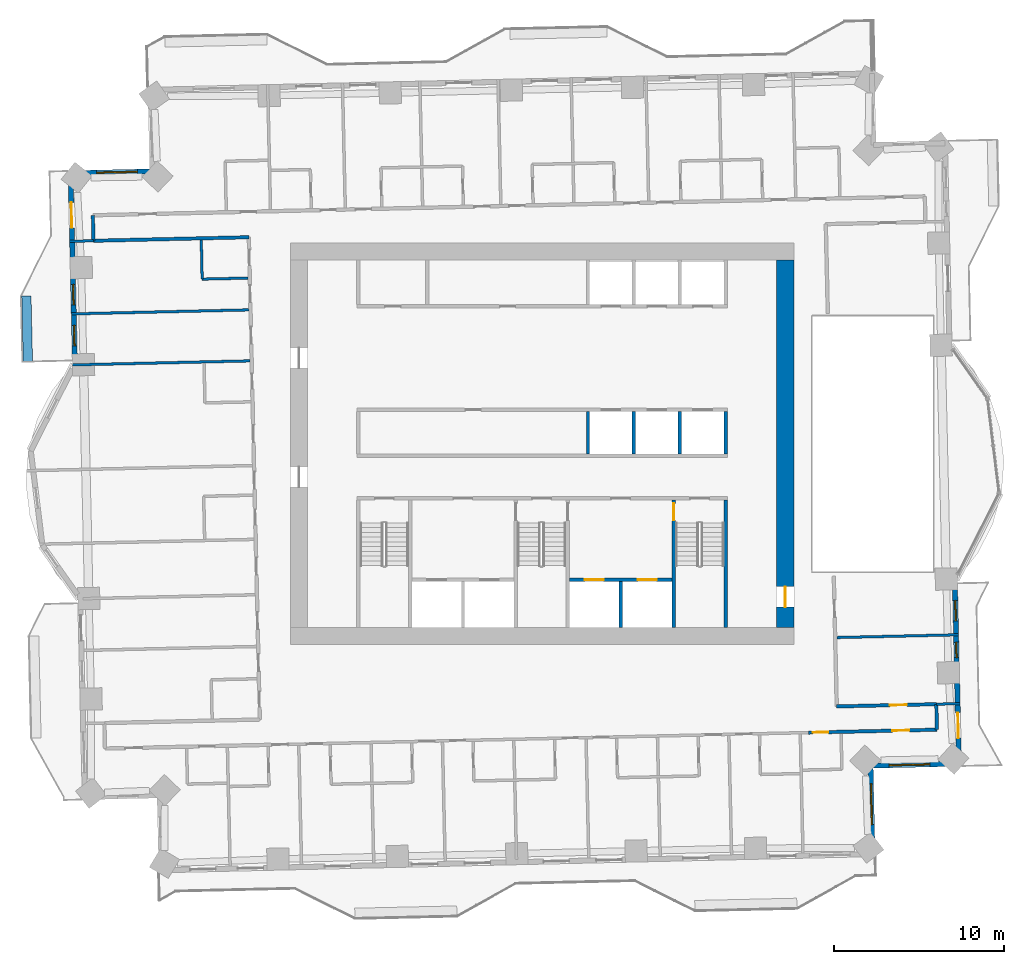
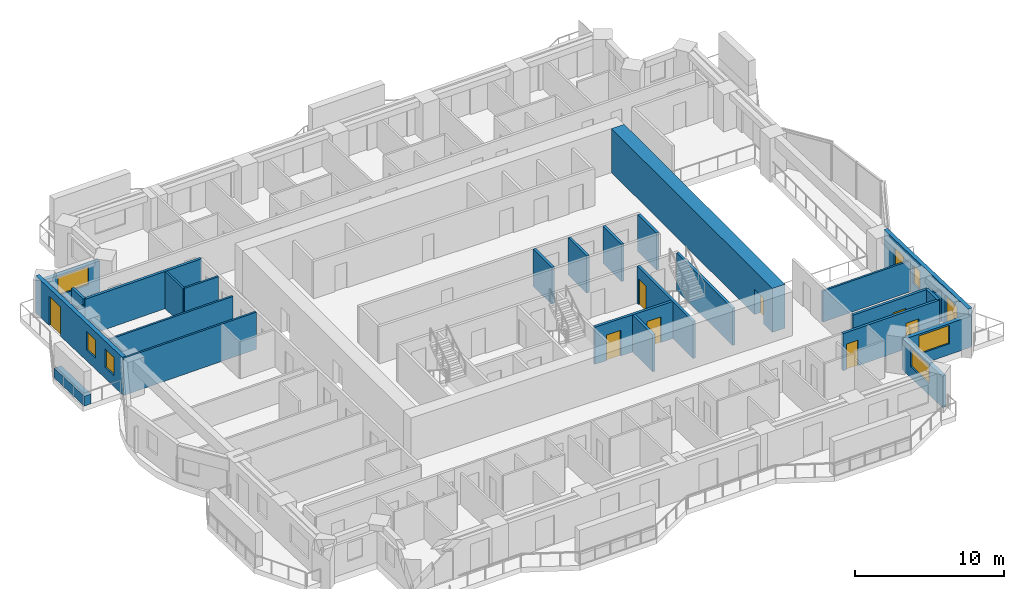
# One storey, part 9 of 16: 27 walls, 9 doors, 7 windows, 16 openings.
"""IFC4 building model written with IfcOpenShell, lengths in metres."""

import ifcopenshell
import ifcopenshell.guid

model = None  # the IFC model being written
_history = None  # IfcOwnerHistory: only IFC2X3 demands one
_inside = {}  # id of a spatial element -> (the spatial element, [elements in it])
_under = {}  # id of a project, library or spatial element -> (it, [spatial elements below it])
_declared = {}  # id of a project -> (the project, [libraries it declares])
_typed = {}  # id of a type object -> (the type object, [elements of that type])
_made_of = {}  # id of a material, layer set ... -> (it, [elements and type objects made of it])


def new_model(schema):
    """Start an empty IFC model of exactly this schema.

    Asked for "IFC4X3", IfcOpenShell would pick the latest addendum, in which some entities
    have other attributes; the version numbers below select the first issue.
    IFC2X3 requires an IfcOwnerHistory on every rooted entity: one is made here for all.
    """
    global model, _history
    if schema == "IFC4X3":
        model = ifcopenshell.file(schema_version=(4, 3, 0, 0))
    else:
        model = ifcopenshell.file(schema=schema)
    _inside.clear()
    _under.clear()
    _declared.clear()
    _typed.clear()
    _made_of.clear()
    _history = None
    if model.schema == "IFC2X3":
        org = make("IfcOrganization", Name="unknown")
        user = make(
            "IfcPersonAndOrganization",
            ThePerson=make("IfcPerson", FamilyName="unknown"),
            TheOrganization=org,
        )
        app = make(
            "IfcApplication",
            ApplicationDeveloper=org,
            Version="unknown",
            ApplicationFullName="unknown",
            ApplicationIdentifier="unknown",
        )
        _history = make(
            "IfcOwnerHistory",
            OwningUser=user,
            OwningApplication=app,
            ChangeAction="ADDED",
            CreationDate=0,
        )
    return model


def make(cls, **values):
    """One entity of the class cls with the attributes given. An attribute that is None is left unset."""
    return model.create_entity(
        cls, **{name: value for name, value in values.items() if value is not None}
    )


def rooted(cls, **values):
    """An entity with a GlobalId (a new one), such as an element, a storey or a relation."""
    return make(cls, GlobalId=ifcopenshell.guid.new(), OwnerHistory=_history, **values)


def si_unit(unit_type, name, prefix=None):
    """IfcSIUnit, for example si_unit("LENGTHUNIT", "METRE", prefix="MILLI")."""
    return make("IfcSIUnit", UnitType=unit_type, Prefix=prefix, Name=name)


def assignment(units):
    """IfcUnitAssignment: the units of a project."""
    return None if units is None else make("IfcUnitAssignment", Units=units)


def point(xyz):
    """IfcCartesianPoint."""
    return None if xyz is None else make("IfcCartesianPoint", Coordinates=xyz)


def direction(xyz):
    """IfcDirection."""
    return None if xyz is None else make("IfcDirection", DirectionRatios=xyz)


def frame(location, z_axis=None, x_axis=None):
    """IfcAxis2Placement3D, a coordinate frame: its origin and axes. An axis left out is left unset."""
    return make(
        "IfcAxis2Placement3D",
        Location=point(location),
        Axis=direction(z_axis),
        RefDirection=direction(x_axis),
    )


def frame_2d(location, x_axis=None):
    """IfcAxis2Placement2D, a coordinate frame in the plane: its origin and x axis."""
    return make(
        "IfcAxis2Placement2D", Location=point(location), RefDirection=direction(x_axis)
    )


def origin():
    """The frame at (0, 0, 0) with its axes left unset."""
    return frame((0.0, 0.0, 0.0))


def place(relative_to, where):
    """IfcLocalPlacement: puts the frame where relative to a parent placement (None: the world)."""
    return make(
        "IfcLocalPlacement", PlacementRelTo=relative_to, RelativePlacement=where
    )


def context(
    kind, dimensions, precision=None, world=None, true_north=None, identifier=None
):
    """IfcGeometricRepresentationContext, for example the 3D "Model" context."""
    return make(
        "IfcGeometricRepresentationContext",
        ContextIdentifier=identifier,
        ContextType=kind,
        CoordinateSpaceDimension=dimensions,
        Precision=precision,
        WorldCoordinateSystem=world,
        TrueNorth=true_north,
    )


def subcontext(parent, identifier, kind, view, scale=None):
    """IfcGeometricRepresentationSubContext, for example "Body" below "Model"."""
    return make(
        "IfcGeometricRepresentationSubContext",
        ContextIdentifier=identifier,
        ContextType=kind,
        ParentContext=parent,
        TargetScale=scale,
        TargetView=view,
    )


def project(units=None, contexts=None):
    """IfcProject with its units and contexts."""
    return rooted(
        "IfcProject",
        Name="project",
        RepresentationContexts=contexts,
        UnitsInContext=assignment(units),
    )


def spatial(cls, under=None, at=None, **own):
    """A site, building, storey or space (cls), placed at a placement, below another one or the project."""
    s = rooted(cls, ObjectPlacement=at, **own)
    if under is not None:
        _under.setdefault(under.id(), (under, []))[1].append(s)
    return s


def profile(cls, at=None, kind="AREA", **sizes):
    """A parametric profile (cls). Its sizes go by their IFC names, for example OverallWidth=200.0."""
    return make(cls, ProfileType=kind, Position=at, **sizes)


def rectangle(**sizes):
    """IfcRectangleProfileDef."""
    return profile("IfcRectangleProfileDef", **sizes)


def extrude(swept, where, along, depth):
    """IfcExtrudedAreaSolid: the profile swept, set in the frame where, extruded along a direction by depth."""
    return make(
        "IfcExtrudedAreaSolid",
        SweptArea=swept,
        Position=where,
        ExtrudedDirection=direction(along),
        Depth=depth,
    )


def shape(context_of_items, identifier, shape_type, items):
    """IfcShapeRepresentation: the items that make up one representation, for example the "Body"."""
    return make(
        "IfcShapeRepresentation",
        ContextOfItems=context_of_items,
        RepresentationIdentifier=identifier,
        RepresentationType=shape_type,
        Items=items,
    )


def material(Name=None, Category=None):
    """IfcMaterial."""
    return make("IfcMaterial", Name=Name, Category=Category)


def layer(
    of_material, thickness, ventilated=None, Name=None, Category=None, Priority=None
):
    """IfcMaterialLayer: one layer of a wall or slab, of a material (None: an air gap)."""
    return make(
        "IfcMaterialLayer",
        Material=of_material,
        LayerThickness=thickness,
        IsVentilated=ventilated,
        Name=Name,
        Category=Category,
        Priority=Priority,
    )


def layer_set(layers, Name=None):
    """IfcMaterialLayerSet."""
    return make("IfcMaterialLayerSet", MaterialLayers=layers, LayerSetName=Name)


def made_of(thing, what):
    """Note that an element or type object is made of a material, layer set ...; save() writes the relation."""
    if what is not None:
        _made_of.setdefault(what.id(), (what, []))[1].append(thing)
    return thing


def type_object(cls, material=None, **own):
    """A type object (cls), such as IfcWallType, which elements share."""
    return made_of(rooted(cls, **own), material)


def element(
    cls,
    number,
    at=None,
    inside=None,
    cuts=None,
    type_object=None,
    material=None,
    context=None,
    identifier="Body",
    shape_type=None,
    held_by="IfcProductDefinitionShape",
    body=None,
    shapes=None,
    **own,
):
    """One element of the class cls, such as IfcWall. Its Tag is "e" and its number.

    at: its placement. inside: the storey or other place that contains it. cuts: it is an
    opening in that element (IfcRelVoidsElement). A single representation is given by context,
    identifier, shape_type and body (its items); several are given by shapes. held_by: the class
    of the entity that holds the representations. save() writes the other relations.
    """
    e = rooted(cls, Tag="e%d" % number, ObjectPlacement=at, **own)
    if body is not None:
        shapes = [shape(context, identifier, shape_type, body)]
    if shapes is not None:
        e.Representation = make(held_by, Representations=shapes)
    if inside is not None:
        _inside.setdefault(inside.id(), (inside, []))[1].append(e)
    if cuts is not None:
        rooted(
            "IfcRelVoidsElement", RelatingBuildingElement=cuts, RelatedOpeningElement=e
        )
    if type_object is not None:
        _typed.setdefault(type_object.id(), (type_object, []))[1].append(e)
    return made_of(e, material)


def fill(opening, filler):
    """IfcRelFillsElement: the door or window that sits in an opening."""
    return rooted(
        "IfcRelFillsElement",
        RelatingOpeningElement=opening,
        RelatedBuildingElement=filler,
    )


def aggregate(whole, parts):
    """IfcRelAggregates: a whole, such as a stair, and the parts it consists of."""
    return rooted("IfcRelAggregates", RelatingObject=whole, RelatedObjects=parts)


def save(model, path):
    """Write the relations noted so far, then the file.

    IfcRelAggregates (storeys below a building ...), IfcRelContainedInSpatialStructure (elements
    in a storey), IfcRelDefinesByType, IfcRelAssociatesMaterial and IfcRelDeclares: one each for
    every whole, place, type object, material and project.
    """
    for whole, parts in _under.values():
        aggregate(whole, parts)
    for where, things in _inside.values():
        rooted(
            "IfcRelContainedInSpatialStructure",
            RelatedElements=things,
            RelatingStructure=where,
        )
    for kind, things in _typed.values():
        rooted("IfcRelDefinesByType", RelatedObjects=things, RelatingType=kind)
    for what, things in _made_of.values():
        rooted("IfcRelAssociatesMaterial", RelatedObjects=things, RelatingMaterial=what)
    for by, libraries in _declared.values():
        rooted("IfcRelDeclares", RelatingContext=by, RelatedDefinitions=libraries)
    model.write(path)


model = new_model("IFC4")

# Units and contexts
model_context = context("Model", 3, precision=1e-05, world=origin(), true_north=direction((0.0, 1.0)))
body_context = subcontext(model_context, "Body", "Model", "MODEL_VIEW")
ifc_project = project(units=[si_unit("LENGTHUNIT", "METRE"), si_unit("AREAUNIT", "SQUARE_METRE"), si_unit("VOLUMEUNIT", "CUBIC_METRE"), si_unit("PLANEANGLEUNIT", "RADIAN"), si_unit("MASSUNIT", "GRAM", prefix="KILO")], contexts=[model_context])

# Site, building, storey
site_placement = place(None, origin())
site = spatial("IfcSite", under=ifc_project, at=site_placement, CompositionType="ELEMENT")
building_placement = place(site_placement, origin())
building = spatial("IfcBuilding", under=site, at=building_placement, Name="Mangrove Gate Tower", CompositionType="ELEMENT")
storey_placement = place(building_placement, frame((0.0, 0.0, 137.300048828125)))
storey = spatial("IfcBuildingStorey", under=building, at=storey_placement, Name="L34", CompositionType="ELEMENT", Elevation=137.300048828125)

# Wall, openings, doors
ifc_material_1 = material(Name="Concrete C70/85", Category="concrete")
ifc_layer_1 = layer(ifc_material_1, 0.199951171875)
ifc_layer_set_1 = layer_set([ifc_layer_1], Name="Core shaft wall 200 C70/85")
wall_type_1 = type_object("IfcWallType", Name="Core shaft wall 200 C70/85", PredefinedType="SHEAR", material=ifc_layer_set_1)
wall_1_placement = place(storey_placement, frame((1.60009765625, -8.0, 0.0), z_axis=(0.0, 0.0, 1.0), x_axis=(1.0, 0.0, 0.0)))
wall_1 = element("IfcWall", 1, at=wall_1_placement, inside=storey, type_object=wall_type_1, Name="WALL-L34-CORE-17", PredefinedType="SHEAR", context=body_context, shape_type="SweptSolid", body=[
    extrude(rectangle(XDim=6.0498046875, YDim=0.199951171875, at=frame_2d((3.02490234375, 0.0))), origin(), (0.0, 0.0, 1.0), 3.050048828125),
])
opening_1_placement = place(wall_1_placement, frame((0.91259765625, 0.0, 0.0)))
opening_1 = element("IfcOpeningElement", 2, at=opening_1_placement, cuts=wall_1, Name="Opening LD", PredefinedType="OPENING", context=body_context, shape_type="SweptSolid", body=[
    extrude(rectangle(XDim=1.10009765625, YDim=2.10009765625, at=frame_2d((0.550048828125, 1.050048828125))), frame((0.0, 0.10986328125, 0.0), z_axis=(0.0, -1.0, 0.0), x_axis=(1.0, 0.0, 0.0)), (0.0, 0.0, 1.0), 0.219970703125),
])
opening_2_placement = place(wall_1_placement, frame((4.03759765625, 0.0, 0.0)))
opening_2 = element("IfcOpeningElement", 3, at=opening_2_placement, cuts=wall_1, Name="Opening LD", PredefinedType="OPENING", context=body_context, shape_type="SweptSolid", body=[
    extrude(rectangle(XDim=1.10009765625, YDim=2.10009765625, at=frame_2d((0.550048828125, 1.050048828125))), frame((0.0, 0.10986328125, 0.0), z_axis=(0.0, -1.0, 0.0), x_axis=(1.0, 0.0, 0.0)), (0.0, 0.0, 1.0), 0.219970703125),
])
ifc_material_2 = material(Name="Stainless steel 316", Category="steel")
door_type_1 = type_object("IfcDoorType", Name="Lift landing door 1100x2100", OperationType="SLIDING_TO_LEFT", PredefinedType="DOOR", material=ifc_material_2)
door_1_placement = place(opening_1_placement, origin())
door_1 = element("IfcDoor", 4, at=door_1_placement, inside=storey, type_object=door_type_1, Name="Landing door LD FFL1", OperationType="SLIDING_TO_LEFT", OverallHeight=2.10009765625, OverallWidth=1.10009765625, PredefinedType="DOOR", context=body_context, shape_type="SweptSolid", body=[
    extrude(rectangle(XDim=1.10009765625, YDim=2.10009765625, at=frame_2d((0.550048828125, 1.050048828125))), frame((0.0, 0.02490234375, 0.0), z_axis=(0.0, -1.0, 0.0), x_axis=(1.0, 0.0, 0.0)), (0.0, 0.0, 1.0), 0.050048828125),
])
fill(opening_1, door_1)
door_2_placement = place(opening_2_placement, origin())
door_2 = element("IfcDoor", 5, at=door_2_placement, inside=storey, type_object=door_type_1, Name="Landing door LD FFL2", OperationType="SLIDING_TO_LEFT", OverallHeight=2.10009765625, OverallWidth=1.10009765625, PredefinedType="DOOR", context=body_context, shape_type="SweptSolid", body=[
    extrude(rectangle(XDim=1.10009765625, YDim=2.10009765625, at=frame_2d((0.550048828125, 1.050048828125))), frame((0.0, 0.02490234375, 0.0), z_axis=(0.0, -1.0, 0.0), x_axis=(1.0, 0.0, 0.0)), (0.0, 0.0, 1.0), 0.050048828125),
])
fill(opening_2, door_2)

# Walls
wall_2_placement = place(storey_placement, frame((4.625, -10.800048828125, 0.0), z_axis=(0.0, 0.0, 1.0), x_axis=(0.0, 1.0, 0.0)))
element("IfcWall", 6, at=wall_2_placement, inside=storey, type_object=wall_type_1, Name="WALL-L34-CORE-18", PredefinedType="SHEAR", context=body_context, shape_type="SweptSolid", body=[
    extrude(rectangle(XDim=2.699951171875, YDim=0.199951171875, at=frame_2d((1.35009765625, 0.0))), origin(), (0.0, 0.0, 1.0), 3.050048828125),
])
for number, where, z_axis, x_axis, name in (
    (7, (2.699951171875, -0.60009765625, 0.0), (0.0, 0.0, 1.0), (0.0, 1.0, 0.0), "WALL-L34-CORE-20"),
    (8, (5.39990234375, -0.60009765625, 0.0), (0.0, 0.0, 1.0), (0.0, 1.0, 0.0), "WALL-L34-CORE-21"),
    (9, (8.10009765625, -0.60009765625, 0.0), (0.0, 0.0, 1.0), (0.0, 1.0, 0.0), "WALL-L34-CORE-22"),
    (10, (10.800048828125, -0.60009765625, 0.0), (0.0, 0.0, 1.0), (0.0, 1.0, 0.0), "WALL-L34-CORE-23"),
):
    element("IfcWall", number, at=place(storey_placement, frame(where, z_axis=z_axis, x_axis=x_axis)), inside=storey, type_object=wall_type_1, Name=name, PredefinedType="SHEAR", context=body_context, shape_type="SweptSolid", body=[
        extrude(rectangle(XDim=2.5, YDim=0.199951171875, at=frame_2d((1.25, 0.0))), origin(), (0.0, 0.0, 1.0), 3.050048828125),
    ])

# Wall, opening, door
ifc_material_3 = material(Name="Concrete C70/85", Category="concrete")
ifc_layer_2 = layer(ifc_material_3, 0.199951171875)
ifc_layer_set_2 = layer_set([ifc_layer_2], Name="Core stair wall 200 C70/85")
wall_type_2 = type_object("IfcWallType", Name="Core stair wall 200 C70/85", PredefinedType="SHEAR", material=ifc_layer_set_2)
wall_3_placement = place(storey_placement, frame((7.75, -10.800048828125, 0.0), z_axis=(0.0, 0.0, 1.0), x_axis=(0.0, 1.0, 0.0)))
wall_3 = element("IfcWall", 11, at=wall_3_placement, inside=storey, type_object=wall_type_2, Name="WALL-L34-CORE-13", PredefinedType="SHEAR", context=body_context, shape_type="SweptSolid", body=[
    extrude(rectangle(XDim=7.5, YDim=0.199951171875, at=frame_2d((3.75, 0.0))), origin(), (0.0, 0.0, 1.0), 3.050048828125),
])
opening_3_placement = place(wall_3_placement, frame((6.300048828125, 0.0, 0.0)))
opening_3 = element("IfcOpeningElement", 12, at=opening_3_placement, cuts=wall_3, Name="Opening STD10", PredefinedType="OPENING", context=body_context, shape_type="SweptSolid", body=[
    extrude(rectangle(XDim=1.0, YDim=2.10009765625, at=frame_2d((0.5, 1.050048828125))), frame((0.0, 0.10986328125, 0.0), z_axis=(0.0, -1.0, 0.0), x_axis=(1.0, 0.0, 0.0)), (0.0, 0.0, 1.0), 0.219970703125),
])
ifc_material_4 = material(Name="Fire-rated steel door set", Category="steel")
door_type_2 = type_object("IfcDoorType", Name="Stair door FD60 1000x2100", OperationType="SINGLE_SWING_RIGHT", PredefinedType="DOOR", material=ifc_material_4)
door_3_placement = place(opening_3_placement, origin())
door_3 = element("IfcDoor", 13, at=door_3_placement, inside=storey, type_object=door_type_2, Name="Stair door Stair 3 from fire-fighting lobby", OperationType="SINGLE_SWING_RIGHT", OverallHeight=2.10009765625, OverallWidth=1.0, PredefinedType="DOOR", context=body_context, shape_type="SweptSolid", body=[
    extrude(rectangle(XDim=1.0, YDim=2.10009765625, at=frame_2d((0.5, 1.050048828125))), frame((0.0, 0.02490234375, 0.0), z_axis=(0.0, -1.0, 0.0), x_axis=(1.0, 0.0, 0.0)), (0.0, 0.0, 1.0), 0.050048828125),
])
fill(opening_3, door_3)

# Wall
wall_4_placement = place(storey_placement, frame((10.800048828125, -10.800048828125, 0.0), z_axis=(0.0, 0.0, 1.0), x_axis=(0.0, 1.0, 0.0)))
element("IfcWall", 14, at=wall_4_placement, inside=storey, type_object=wall_type_2, Name="WALL-L34-CORE-14", PredefinedType="SHEAR", context=body_context, shape_type="SweptSolid", body=[
    extrude(rectangle(XDim=7.5, YDim=0.199951171875, at=frame_2d((3.75, 0.0))), origin(), (0.0, 0.0, 1.0), 3.050048828125),
])

# Wall, opening, door
ifc_material_5 = material(Name="Concrete C70/85", Category="concrete")
ifc_layer_3 = layer(ifc_material_5, 1.0)
ifc_layer_set_3 = layer_set([ifc_layer_3], Name="Core wall 1000 C70/85")
wall_type_3 = type_object("IfcWallType", Name="Core wall 1000 C70/85", PredefinedType="SHEAR", material=ifc_layer_set_3)
wall_5_placement = place(storey_placement, frame((14.300048828125, -10.800048828125, 0.0), z_axis=(0.0, 0.0, 1.0), x_axis=(0.0, 1.0, 0.0)))
wall_5 = element("IfcWall", 15, at=wall_5_placement, inside=storey, type_object=wall_type_3, Name="WALL-L34-CORE-4", PredefinedType="SHEAR", context=body_context, shape_type="SweptSolid", body=[
    extrude(rectangle(XDim=21.60009765625, YDim=1.0, at=frame_2d((10.800048828125, 0.0))), origin(), (0.0, 0.0, 1.0), 3.599853515625),
])
opening_4_placement = place(wall_5_placement, frame((1.199951171875, 0.0, 0.0)))
opening_4 = element("IfcOpeningElement", 16, at=opening_4_placement, cuts=wall_5, Name="Opening CD", PredefinedType="OPENING", context=body_context, shape_type="SweptSolid", body=[
    extrude(rectangle(XDim=1.199951171875, YDim=2.10009765625, at=frame_2d((0.60009765625, 1.050048828125))), frame((0.0, 0.510009765625, 0.0), z_axis=(0.0, -1.0, 0.0), x_axis=(1.0, 0.0, 0.0)), (0.0, 0.0, 1.0), 1.02001953125),
])
ifc_material_6 = material(Name="Fire-rated steel door set", Category="steel")
door_type_3 = type_object("IfcDoorType", Name="Core ring door FD60 1200x2100", OperationType="DOUBLE_DOOR_SINGLE_SWING", PredefinedType="DOOR", material=ifc_material_6)
door_4_placement = place(opening_4_placement, origin())
door_4 = element("IfcDoor", 17, at=door_4_placement, inside=storey, type_object=door_type_3, Name="Core ring door E1", OperationType="DOUBLE_DOOR_SINGLE_SWING", OverallHeight=2.10009765625, OverallWidth=1.199951171875, PredefinedType="DOOR", context=body_context, shape_type="SweptSolid", body=[
    extrude(rectangle(XDim=1.199951171875, YDim=2.10009765625, at=frame_2d((0.60009765625, 1.050048828125))), frame((0.0, 0.02490234375, 0.0), z_axis=(0.0, -1.0, 0.0), x_axis=(1.0, 0.0, 0.0)), (0.0, 0.0, 1.0), 0.050048828125),
])
fill(opening_4, door_4)

# Wall
ifc_material_7 = material(Name="Gypsum board on steel stud, EI 60", Category="steel")
ifc_layer_4 = layer(ifc_material_7, 0.199951171875)
ifc_layer_set_4 = layer_set([ifc_layer_4], Name="Corridor wall EI 60")
wall_type_4 = type_object("IfcWallType", Name="Corridor wall EI 60", PredefinedType="PARTITIONING", material=ifc_layer_set_4)
wall_6_placement = place(storey_placement, frame((23.219970703125, -16.81494140625, 0.0), z_axis=(0.0, 0.0, 1.0), x_axis=(-0.022617910375, 0.999744182344, 0.0)))
element("IfcWall", 18, at=wall_6_placement, inside=storey, type_object=wall_type_4, Name="WALL-L34-028", PredefinedType="PARTITIONING", context=body_context, shape_type="SweptSolid", body=[
    extrude(rectangle(XDim=1.50048828125, YDim=0.199951171875, at=frame_2d((0.750244140625, 0.0))), origin(), (0.0, 0.0, 1.0), 3.050048828125),
])

# Wall, openings, doors
wall_7_placement = place(storey_placement, frame((15.657958984375, -16.98193359375, 0.0), z_axis=(0.0, 0.0, 1.0), x_axis=(0.99974485859, 0.022587999516, 0.0)))
wall_7 = element("IfcWall", 19, at=wall_7_placement, inside=storey, type_object=wall_type_4, Name="WALL-L34-031", PredefinedType="PARTITIONING", context=body_context, shape_type="SweptSolid", body=[
    extrude(rectangle(XDim=7.56591796875, YDim=0.199951171875, at=frame_2d((3.782958984375, 0.0))), origin(), (0.0, 0.0, 1.0), 3.050048828125),
])
opening_5_placement = place(wall_7_placement, frame((4.944091796875, 0.0, 0.0)))
opening_5 = element("IfcOpeningElement", 20, at=opening_5_placement, cuts=wall_7, Name="Opening AD", PredefinedType="OPENING", context=body_context, shape_type="SweptSolid", body=[
    extrude(rectangle(XDim=1.0, YDim=2.10009765625, at=frame_2d((0.5, 1.050048828125))), frame((0.0, 0.10986328125, 0.0), z_axis=(0.0, -1.0, 0.0), x_axis=(1.0, 0.0, 0.0)), (0.0, 0.0, 1.0), 0.219970703125),
])
opening_6_placement = place(wall_7_placement, frame((0.27197265625, 0.0, 0.0)))
opening_6 = element("IfcOpeningElement", 21, at=opening_6_placement, cuts=wall_7, Name="Opening SD", PredefinedType="OPENING", context=body_context, shape_type="SweptSolid", body=[
    extrude(rectangle(XDim=0.89990234375, YDim=2.10009765625, at=frame_2d((0.449951171875, 1.050048828125))), frame((0.0, 0.10986328125, 0.0), z_axis=(0.0, -1.0, 0.0), x_axis=(1.0, 0.0, 0.0)), (0.0, 0.0, 1.0), 0.219970703125),
])
ifc_material_8 = material(Name="Timber door leaf", Category="wood")
door_type_4 = type_object("IfcDoorType", Name="Amenity door 1000", OperationType="SINGLE_SWING_LEFT", PredefinedType="DOOR", material=ifc_material_8)
door_5_placement = place(opening_5_placement, origin())
door_5 = element("IfcDoor", 22, at=door_5_placement, inside=storey, type_object=door_type_4, Name="DOOR-L34-LNG-c3a", OperationType="SINGLE_SWING_RIGHT", OverallHeight=2.10009765625, OverallWidth=1.0, PredefinedType="DOOR", context=body_context, shape_type="SweptSolid", body=[
    extrude(rectangle(XDim=1.0, YDim=2.10009765625, at=frame_2d((0.5, 1.050048828125))), frame((0.0, 0.02490234375, 0.0), z_axis=(0.0, -1.0, 0.0), x_axis=(1.0, 0.0, 0.0)), (0.0, 0.0, 1.0), 0.050048828125),
])
fill(opening_5, door_5)
ifc_material_9 = material(Name="Timber door leaf", Category="wood")
door_type_5 = type_object("IfcDoorType", Name="Service room door 900", OperationType="SINGLE_SWING_LEFT", PredefinedType="DOOR", material=ifc_material_9)
door_6_placement = place(opening_6_placement, origin())
door_6 = element("IfcDoor", 23, at=door_6_placement, inside=storey, type_object=door_type_5, Name="DOOR-L34-LIN-c3a", OperationType="SINGLE_SWING_RIGHT", OverallHeight=2.10009765625, OverallWidth=0.89990234375, PredefinedType="DOOR", context=body_context, shape_type="SweptSolid", body=[
    extrude(rectangle(XDim=0.89990234375, YDim=2.10009765625, at=frame_2d((0.449951171875, 1.050048828125))), frame((0.0, 0.02490234375, 0.0), z_axis=(0.0, -1.0, 0.0), x_axis=(1.0, 0.0, 0.0)), (0.0, 0.0, 1.0), 0.050048828125),
])
fill(opening_6, door_6)

# Wall, opening, door
wall_8_placement = place(storey_placement, frame((17.322998046875, -15.444091796875, 0.0), z_axis=(0.0, 0.0, 1.0), x_axis=(0.999742758565, 0.022680756085, 0.0)))
wall_8 = element("IfcWall", 24, at=wall_8_placement, inside=storey, type_object=wall_type_4, Name="WALL-L34-037", PredefinedType="PARTITIONING", context=body_context, shape_type="SweptSolid", body=[
    extrude(rectangle(XDim=5.866455078125, YDim=0.199951171875, at=frame_2d((2.93310546875, 0.0))), origin(), (0.0, 0.0, 1.0), 3.050048828125),
])
opening_7_placement = place(wall_8_placement, frame((3.134033203125, 0.0, 0.0)))
opening_7 = element("IfcOpeningElement", 25, at=opening_7_placement, cuts=wall_8, Name="Opening AD", PredefinedType="OPENING", context=body_context, shape_type="SweptSolid", body=[
    extrude(rectangle(XDim=1.0, YDim=2.10009765625, at=frame_2d((0.5, 1.050048828125))), frame((0.0, 0.10986328125, 0.0), z_axis=(0.0, -1.0, 0.0), x_axis=(1.0, 0.0, 0.0)), (0.0, 0.0, 1.0), 0.219970703125),
])
door_7_placement = place(opening_7_placement, origin())
door_7 = element("IfcDoor", 26, at=door_7_placement, inside=storey, type_object=door_type_4, Name="DOOR-L34-KIT-c3a", OperationType="SINGLE_SWING_LEFT", OverallHeight=2.10009765625, OverallWidth=1.0, PredefinedType="DOOR", context=body_context, shape_type="SweptSolid", body=[
    extrude(rectangle(XDim=1.0, YDim=2.10009765625, at=frame_2d((0.5, 1.050048828125))), frame((0.0, 0.02490234375, 0.0), z_axis=(0.0, -1.0, 0.0), x_axis=(1.0, 0.0, 0.0)), (0.0, 0.0, 1.0), 0.050048828125),
])
fill(opening_7, door_7)

# Walls
wall_9_placement = place(storey_placement, frame((-26.386962890625, 11.94091796875, 0.0), z_axis=(0.0, 0.0, 1.0), x_axis=(0.999741076645, 0.022754772455, 0.0)))
element("IfcWall", 27, at=wall_9_placement, inside=storey, type_object=wall_type_4, Name="WALL-L34-055", PredefinedType="PARTITIONING", context=body_context, shape_type="SweptSolid", body=[
    extrude(rectangle(XDim=9.141357421875, YDim=0.199951171875, at=frame_2d((4.57080078125, 0.0))), origin(), (0.0, 0.0, 1.0), 3.050048828125),
])
wall_10_placement = place(storey_placement, frame((-26.385009765625, 11.94091796875, 0.0), z_axis=(0.0, 0.0, 1.0), x_axis=(-0.022617910375, 0.999744182344, 0.0)))
element("IfcWall", 28, at=wall_10_placement, inside=storey, type_object=wall_type_4, Name="WALL-L34-056", PredefinedType="PARTITIONING", context=body_context, shape_type="SweptSolid", body=[
    extrude(rectangle(XDim=1.50048828125, YDim=0.199951171875, at=frame_2d((0.750244140625, 0.0))), origin(), (0.0, 0.0, 1.0), 3.050048828125),
])

# Wall, openings, door, windows
ifc_material_10 = material(Name="Limestone", Category="masonry")
ifc_layer_5 = layer(ifc_material_10, 0.0400390625, Name="Limestone cladding")
ifc_material_11 = material(Name="Ventilated air gap")
ifc_layer_6 = layer(ifc_material_11, 0.0400390625, Name="Ventilated cavity")
ifc_material_12 = material(Name="Mineral wool insulation")
ifc_layer_7 = layer(ifc_material_12, 0.06005859375, Name="Insulation")
ifc_material_13 = material(Name="Breather membrane")
ifc_layer_8 = layer(ifc_material_13, 0.001953125, Name="Breather membrane")
ifc_material_14 = material(Name="Concrete C20/25 blockwork", Category="masonry")
ifc_layer_9 = layer(ifc_material_14, 0.14990234375, Name="Blockwork backing wall")
ifc_material_15 = material(Name="Gypsum plaster")
ifc_layer_10 = layer(ifc_material_15, 0.008056640625, Name="Internal plaster")
ifc_layer_set_5 = layer_set([ifc_layer_5, ifc_layer_6, ifc_layer_7, ifc_layer_8, ifc_layer_9, ifc_layer_10], Name="External wall 300 limestone cladding")
wall_type_5 = type_object("IfcWallType", Name="External wall 300 limestone cladding", PredefinedType="SOLIDWALL", material=ifc_layer_set_5)
wall_11_placement = place(storey_placement, frame((24.51806640625, -18.81201171875, 0.0), z_axis=(0.0, 0.0, 1.0), x_axis=(-0.02269451316, 0.999742446369, 0.0)))
wall_11 = element("IfcWall", 29, at=wall_11_placement, inside=storey, type_object=wall_type_5, Name="WALL-L34-E0", PredefinedType="SOLIDWALL", context=body_context, shape_type="SweptSolid", body=[
    extrude(rectangle(XDim=10.929931640625, YDim=0.300048828125, at=frame_2d((5.46484375, 0.0))), origin(), (0.0, 0.0, 1.0), 3.050048828125),
])
opening_8_placement = place(wall_11_placement, frame((1.49609375, 0.0, 0.0)))
opening_8 = element("IfcOpeningElement", 30, at=opening_8_placement, cuts=wall_11, Name="Opening BD1", PredefinedType="OPENING", context=body_context, shape_type="SweptSolid", body=[
    extrude(rectangle(XDim=1.5, YDim=2.39990234375, at=frame_2d((0.75, 1.199951171875))), frame((0.0, 0.159912109375, 0.0), z_axis=(0.0, -1.0, 0.0), x_axis=(1.0, 0.0, 0.0)), (0.0, 0.0, 1.0), 0.320068359375),
])
opening_9_placement = place(wall_11_placement, frame((6.243896484375, 0.0, 0.89990234375)))
opening_9 = element("IfcOpeningElement", 31, at=opening_9_placement, cuts=wall_11, Name="Opening W5", PredefinedType="OPENING", context=body_context, shape_type="SweptSolid", body=[
    extrude(rectangle(XDim=0.89990234375, YDim=1.5, at=frame_2d((0.449951171875, 0.75))), frame((0.0, 0.159912109375, 0.0), z_axis=(0.0, -1.0, 0.0), x_axis=(1.0, 0.0, 0.0)), (0.0, 0.0, 1.0), 0.320068359375),
])
opening_10_placement = place(wall_11_placement, frame((8.39990234375, 0.0, 0.89990234375)))
opening_10 = element("IfcOpeningElement", 32, at=opening_10_placement, cuts=wall_11, Name="Opening W1", PredefinedType="OPENING", context=body_context, shape_type="SweptSolid", body=[
    extrude(rectangle(XDim=1.199951171875, YDim=1.5, at=frame_2d((0.60009765625, 0.75))), frame((0.0, 0.159912109375, 0.0), z_axis=(0.0, -1.0, 0.0), x_axis=(1.0, 0.0, 0.0)), (0.0, 0.0, 1.0), 0.320068359375),
])
ifc_material_16 = material(Name="Aluminium frame with laminated clear glass", Category="aluminium")
door_type_6 = type_object("IfcDoorType", Name="Balcony sliding door 1500x2400", OperationType="SLIDING_TO_LEFT", PredefinedType="DOOR", material=ifc_material_16)
door_8_placement = place(opening_8_placement, origin())
door_8 = element("IfcDoor", 33, at=door_8_placement, inside=storey, type_object=door_type_6, Name="DOOR-L34-E0-1", OperationType="SLIDING_TO_LEFT", OverallHeight=2.39990234375, OverallWidth=1.5, PredefinedType="DOOR", context=body_context, shape_type="SweptSolid", body=[
    extrude(rectangle(XDim=1.5, YDim=2.39990234375, at=frame_2d((0.75, 1.199951171875))), frame((0.0, 0.02490234375, 0.0), z_axis=(0.0, -1.0, 0.0), x_axis=(1.0, 0.0, 0.0)), (0.0, 0.0, 1.0), 0.050048828125),
])
fill(opening_8, door_8)
ifc_material_17 = material(Name="Aluminium frame with double-glazed low-e glass", Category="aluminium")
window_type_1 = type_object("IfcWindowType", Name="Narrow window 900x1500", PartitioningType="SINGLE_PANEL", PredefinedType="WINDOW", material=ifc_material_17)
window_1_placement = place(opening_9_placement, origin())
window_1 = element("IfcWindow", 34, at=window_1_placement, inside=storey, type_object=window_type_1, Name="WIN-L34-E0-2", OverallHeight=1.5, OverallWidth=0.89990234375, PartitioningType="SINGLE_PANEL", PredefinedType="WINDOW", context=body_context, shape_type="SweptSolid", body=[
    extrude(rectangle(XDim=0.89990234375, YDim=1.5, at=frame_2d((0.449951171875, 0.75))), frame((0.0, 0.030029296875, 0.0), z_axis=(0.0, -1.0, 0.0), x_axis=(1.0, 0.0, 0.0)), (0.0, 0.0, 1.0), 0.06005859375),
])
fill(opening_9, window_1)
ifc_material_18 = material(Name="Aluminium frame with double-glazed low-e glass", Category="aluminium")
window_type_2 = type_object("IfcWindowType", Name="Side lite 1200x1500", PartitioningType="SINGLE_PANEL", PredefinedType="WINDOW", material=ifc_material_18)
window_2_placement = place(opening_10_placement, origin())
window_2 = element("IfcWindow", 35, at=window_2_placement, inside=storey, type_object=window_type_2, Name="WIN-L34-E0-3", OverallHeight=1.5, OverallWidth=1.199951171875, PartitioningType="SINGLE_PANEL", PredefinedType="WINDOW", context=body_context, shape_type="SweptSolid", body=[
    extrude(rectangle(XDim=1.199951171875, YDim=1.5, at=frame_2d((0.60009765625, 0.75))), frame((0.0, 0.030029296875, 0.0), z_axis=(0.0, -1.0, 0.0), x_axis=(1.0, 0.0, 0.0)), (0.0, 0.0, 1.0), 0.06005859375),
])
fill(opening_10, window_2)

# Wall, opening, window
wall_12_placement = place(storey_placement, frame((-22.927978515625, 16.02099609375, 0.0), z_axis=(0.0, 0.0, 1.0), x_axis=(-0.999742701292, -0.022683280499, 0.0)))
wall_12 = element("IfcWall", 36, at=wall_12_placement, inside=storey, type_object=wall_type_5, Name="WALL-L34-N7", PredefinedType="SOLIDWALL", context=body_context, shape_type="SweptSolid", body=[
    extrude(rectangle(XDim=4.80029296875, YDim=0.300048828125, at=frame_2d((2.400146484375, 0.0))), origin(), (0.0, 0.0, 1.0), 2.550048828125),
])
opening_11_placement = place(wall_12_placement, frame((0.873046875, 0.0, 0.89990234375)))
opening_11 = element("IfcOpeningElement", 37, at=opening_11_placement, cuts=wall_12, Name="Opening W2", PredefinedType="OPENING", context=body_context, shape_type="SweptSolid", body=[
    extrude(rectangle(XDim=2.39990234375, YDim=1.5, at=frame_2d((1.199951171875, 0.75))), frame((0.0, 0.159912109375, 0.0), z_axis=(0.0, -1.0, 0.0), x_axis=(1.0, 0.0, 0.0)), (0.0, 0.0, 1.0), 0.320068359375),
])
ifc_material_19 = material(Name="Aluminium frame with double-glazed low-e glass", Category="aluminium")
window_type_3 = type_object("IfcWindowType", Name="Corner room window 2400x1500", PartitioningType="DOUBLE_PANEL_VERTICAL", PredefinedType="WINDOW", material=ifc_material_19)
window_3_placement = place(opening_11_placement, origin())
window_3 = element("IfcWindow", 38, at=window_3_placement, inside=storey, type_object=window_type_3, Name="WIN-L34-N7-1", OverallHeight=1.5, OverallWidth=2.39990234375, PartitioningType="DOUBLE_PANEL_VERTICAL", PredefinedType="WINDOW", context=body_context, shape_type="SweptSolid", body=[
    extrude(rectangle(XDim=2.39990234375, YDim=1.5, at=frame_2d((1.199951171875, 0.75))), frame((0.0, 0.030029296875, 0.0), z_axis=(0.0, -1.0, 0.0), x_axis=(1.0, 0.0, 0.0)), (0.0, 0.0, 1.0), 0.06005859375),
])
fill(opening_11, window_3)

# Wall, openings, door, windows
wall_13_placement = place(storey_placement, frame((-27.72705078125, 15.912109375, 0.0), z_axis=(0.0, 0.0, 1.0), x_axis=(0.022690078929, -0.999742547018, 0.0)))
wall_13 = element("IfcWall", 39, at=wall_13_placement, inside=storey, type_object=wall_type_5, Name="WALL-L34-W8", PredefinedType="SOLIDWALL", context=body_context, shape_type="SweptSolid", body=[
    extrude(rectangle(XDim=11.330078125, YDim=0.300048828125, at=frame_2d((5.6650390625, 0.0))), origin(), (0.0, 0.0, 1.0), 3.050048828125),
])
opening_12_placement = place(wall_13_placement, frame((1.717041015625, 0.0, 0.0)))
opening_12 = element("IfcOpeningElement", 40, at=opening_12_placement, cuts=wall_13, Name="Opening BD1", PredefinedType="OPENING", context=body_context, shape_type="SweptSolid", body=[
    extrude(rectangle(XDim=1.5, YDim=2.39990234375, at=frame_2d((0.75, 1.199951171875))), frame((0.0, 0.159912109375, 0.0), z_axis=(0.0, -1.0, 0.0), x_axis=(1.0, 0.0, 0.0)), (0.0, 0.0, 1.0), 0.320068359375),
])
opening_13_placement = place(wall_13_placement, frame((6.5439453125, 0.0, 0.89990234375)))
opening_13 = element("IfcOpeningElement", 41, at=opening_13_placement, cuts=wall_13, Name="Opening W1", PredefinedType="OPENING", context=body_context, shape_type="SweptSolid", body=[
    extrude(rectangle(XDim=1.199951171875, YDim=1.5, at=frame_2d((0.60009765625, 0.75))), frame((0.0, 0.159912109375, 0.0), z_axis=(0.0, -1.0, 0.0), x_axis=(1.0, 0.0, 0.0)), (0.0, 0.0, 1.0), 0.320068359375),
])
opening_14_placement = place(wall_13_placement, frame((8.949951171875, 0.0, 0.89990234375)))
opening_14 = element("IfcOpeningElement", 42, at=opening_14_placement, cuts=wall_13, Name="Opening W1", PredefinedType="OPENING", context=body_context, shape_type="SweptSolid", body=[
    extrude(rectangle(XDim=1.199951171875, YDim=1.5, at=frame_2d((0.60009765625, 0.75))), frame((0.0, 0.159912109375, 0.0), z_axis=(0.0, -1.0, 0.0), x_axis=(1.0, 0.0, 0.0)), (0.0, 0.0, 1.0), 0.320068359375),
])
door_9_placement = place(opening_12_placement, origin())
door_9 = element("IfcDoor", 43, at=door_9_placement, inside=storey, type_object=door_type_6, Name="DOOR-L34-W8-1", OperationType="SLIDING_TO_LEFT", OverallHeight=2.39990234375, OverallWidth=1.5, PredefinedType="DOOR", context=body_context, shape_type="SweptSolid", body=[
    extrude(rectangle(XDim=1.5, YDim=2.39990234375, at=frame_2d((0.75, 1.199951171875))), frame((0.0, 0.02490234375, 0.0), z_axis=(0.0, -1.0, 0.0), x_axis=(1.0, 0.0, 0.0)), (0.0, 0.0, 1.0), 0.050048828125),
])
fill(opening_12, door_9)
window_4_placement = place(opening_13_placement, origin())
window_4 = element("IfcWindow", 44, at=window_4_placement, inside=storey, type_object=window_type_2, Name="WIN-L34-W8-2", OverallHeight=1.5, OverallWidth=1.199951171875, PartitioningType="SINGLE_PANEL", PredefinedType="WINDOW", context=body_context, shape_type="SweptSolid", body=[
    extrude(rectangle(XDim=1.199951171875, YDim=1.5, at=frame_2d((0.60009765625, 0.75))), frame((0.0, 0.030029296875, 0.0), z_axis=(0.0, -1.0, 0.0), x_axis=(1.0, 0.0, 0.0)), (0.0, 0.0, 1.0), 0.06005859375),
])
fill(opening_13, window_4)
window_5_placement = place(opening_14_placement, origin())
window_5 = element("IfcWindow", 45, at=window_5_placement, inside=storey, type_object=window_type_2, Name="WIN-L34-W8-3", OverallHeight=1.5, OverallWidth=1.199951171875, PartitioningType="SINGLE_PANEL", PredefinedType="WINDOW", context=body_context, shape_type="SweptSolid", body=[
    extrude(rectangle(XDim=1.199951171875, YDim=1.5, at=frame_2d((0.60009765625, 0.75))), frame((0.0, 0.030029296875, 0.0), z_axis=(0.0, -1.0, 0.0), x_axis=(1.0, 0.0, 0.0)), (0.0, 0.0, 1.0), 0.06005859375),
])
fill(opening_14, window_5)

# Wall, opening, window
wall_14_placement = place(storey_placement, frame((19.43701171875, -24.12890625, 0.0), z_axis=(0.0, 0.0, 1.0), x_axis=(-0.022675548694, 0.99974287669, 0.0)))
wall_14 = element("IfcWall", 46, at=wall_14_placement, inside=storey, type_object=wall_type_5, Name="WALL-L34-E14", PredefinedType="SOLIDWALL", context=body_context, shape_type="SweptSolid", body=[
    extrude(rectangle(XDim=5.2001953125, YDim=0.300048828125, at=frame_2d((2.60009765625, 0.0))), origin(), (0.0, 0.0, 1.0), 2.550048828125),
])
opening_15_placement = place(wall_14_placement, frame((1.736083984375, 0.0, 0.89990234375)))
opening_15 = element("IfcOpeningElement", 47, at=opening_15_placement, cuts=wall_14, Name="Opening W2", PredefinedType="OPENING", context=body_context, shape_type="SweptSolid", body=[
    extrude(rectangle(XDim=2.39990234375, YDim=1.5, at=frame_2d((1.199951171875, 0.75))), frame((0.0, 0.159912109375, 0.0), z_axis=(0.0, -1.0, 0.0), x_axis=(1.0, 0.0, 0.0)), (0.0, 0.0, 1.0), 0.320068359375),
])
window_6_placement = place(opening_15_placement, origin())
window_6 = element("IfcWindow", 48, at=window_6_placement, inside=storey, type_object=window_type_3, Name="WIN-L34-E14-1", OverallHeight=1.5, OverallWidth=2.39990234375, PartitioningType="DOUBLE_PANEL_VERTICAL", PredefinedType="WINDOW", context=body_context, shape_type="SweptSolid", body=[
    extrude(rectangle(XDim=2.39990234375, YDim=1.5, at=frame_2d((1.199951171875, 0.75))), frame((0.0, 0.030029296875, 0.0), z_axis=(0.0, -1.0, 0.0), x_axis=(1.0, 0.0, 0.0)), (0.0, 0.0, 1.0), 0.06005859375),
])
fill(opening_15, window_6)

wall_15_placement = place(storey_placement, frame((19.319091796875, -18.929931640625, 0.0), z_axis=(0.0, 0.0, 1.0), x_axis=(0.99974287669, 0.022675548694, 0.0)))
wall_15 = element("IfcWall", 49, at=wall_15_placement, inside=storey, type_object=wall_type_5, Name="WALL-L34-S15", PredefinedType="SOLIDWALL", context=body_context, shape_type="SweptSolid", body=[
    extrude(rectangle(XDim=5.2001953125, YDim=0.300048828125, at=frame_2d((2.60009765625, 0.0))), origin(), (0.0, 0.0, 1.0), 2.550048828125),
])
opening_16_placement = place(wall_15_placement, frame((1.083984375, 0.0, 0.89990234375)))
opening_16 = element("IfcOpeningElement", 50, at=opening_16_placement, cuts=wall_15, Name="Opening W2", PredefinedType="OPENING", context=body_context, shape_type="SweptSolid", body=[
    extrude(rectangle(XDim=2.39990234375, YDim=1.5, at=frame_2d((1.199951171875, 0.75))), frame((0.0, 0.159912109375, 0.0), z_axis=(0.0, -1.0, 0.0), x_axis=(1.0, 0.0, 0.0)), (0.0, 0.0, 1.0), 0.320068359375),
])
window_7_placement = place(opening_16_placement, origin())
window_7 = element("IfcWindow", 51, at=window_7_placement, inside=storey, type_object=window_type_3, Name="WIN-L34-S15-1", OverallHeight=1.5, OverallWidth=2.39990234375, PartitioningType="DOUBLE_PANEL_VERTICAL", PredefinedType="WINDOW", context=body_context, shape_type="SweptSolid", body=[
    extrude(rectangle(XDim=2.39990234375, YDim=1.5, at=frame_2d((1.199951171875, 0.75))), frame((0.0, 0.030029296875, 0.0), z_axis=(0.0, -1.0, 0.0), x_axis=(1.0, 0.0, 0.0)), (0.0, 0.0, 1.0), 0.06005859375),
])
fill(opening_16, window_7)

# Walls
ifc_material_20 = material(Name="Gypsum board on steel stud, EI 60", Category="steel")
ifc_layer_11 = layer(ifc_material_20, 0.14990234375)
ifc_layer_set_6 = layer_set([ifc_layer_11], Name="Party wall 150 EI 60")
wall_type_6 = type_object("IfcWallType", Name="Party wall 150 EI 60", PredefinedType="PARTITIONING", material=ifc_layer_set_6)
wall_16_placement = place(storey_placement, frame((23.18408203125, -15.31103515625, 0.0), z_axis=(0.0, 0.0, 1.0), x_axis=(0.999740577356, 0.022776698371, 0.0)))
element("IfcWall", 52, at=wall_16_placement, inside=storey, type_object=wall_type_6, Name="WALL-L34-038", PredefinedType="PARTITIONING", context=body_context, shape_type="SweptSolid", body=[
    extrude(rectangle(XDim=1.404052734375, YDim=0.14990234375, at=frame_2d((0.7021484375, 0.0))), origin(), (0.0, 0.0, 1.0), 2.550048828125),
])
wall_17_placement = place(storey_placement, frame((17.3310546875, -11.39306640625, 0.0), z_axis=(0.0, 0.0, 1.0), x_axis=(0.999741061159, 0.022755452803, 0.0)))
element("IfcWall", 53, at=wall_17_placement, inside=storey, type_object=wall_type_6, Name="WALL-L34-040", PredefinedType="PARTITIONING", context=body_context, shape_type="SweptSolid", body=[
    extrude(rectangle(XDim=7.1669921875, YDim=0.14990234375, at=frame_2d((3.58349609375, 0.0))), origin(), (0.0, 0.0, 1.0), 2.550048828125),
])
wall_18_placement = place(storey_placement, frame((-27.62109375, 4.64111328125, 0.0), z_axis=(0.0, 0.0, 1.0), x_axis=(0.999742728106, 0.022682098664, 0.0)))
element("IfcWall", 54, at=wall_18_placement, inside=storey, type_object=wall_type_6, Name="WALL-L34-049", PredefinedType="PARTITIONING", context=body_context, shape_type="SweptSolid", body=[
    extrude(rectangle(XDim=10.440673828125, YDim=0.14990234375, at=frame_2d((5.22021484375, 0.0))), origin(), (0.0, 0.0, 1.0), 3.050048828125),
])
wall_19_placement = place(storey_placement, frame((-27.68896484375, 7.639892578125, 0.0), z_axis=(0.0, 0.0, 1.0), x_axis=(0.99974219758, 0.022705470222, 0.0)))
element("IfcWall", 55, at=wall_19_placement, inside=storey, type_object=wall_type_6, Name="WALL-L34-051", PredefinedType="PARTITIONING", context=body_context, shape_type="SweptSolid", body=[
    extrude(rectangle(XDim=10.440673828125, YDim=0.14990234375, at=frame_2d((5.22021484375, 0.0))), origin(), (0.0, 0.0, 1.0), 2.550048828125),
])
wall_20_placement = place(storey_placement, frame((-19.992919921875, 9.68603515625, 0.0), z_axis=(0.0, 0.0, 1.0), x_axis=(0.999744396973, 0.02260842146, 0.0)))
element("IfcWall", 56, at=wall_20_placement, inside=storey, type_object=wall_type_6, Name="WALL-L34-052", PredefinedType="PARTITIONING", context=body_context, shape_type="SweptSolid", body=[
    extrude(rectangle(XDim=2.69970703125, YDim=0.14990234375, at=frame_2d((1.349853515625, 0.0))), origin(), (0.0, 0.0, 1.0), 3.050048828125),
])
wall_21_placement = place(storey_placement, frame((-19.991943359375, 9.68603515625, 0.0), z_axis=(0.0, 0.0, 1.0), x_axis=(-0.022612884682, 0.999744296031, 0.0)))
element("IfcWall", 57, at=wall_21_placement, inside=storey, type_object=wall_type_6, Name="WALL-L34-053", PredefinedType="PARTITIONING", context=body_context, shape_type="SweptSolid", body=[
    extrude(rectangle(XDim=2.299560546875, YDim=0.14990234375, at=frame_2d((1.14990234375, 0.0))), origin(), (0.0, 0.0, 1.0), 3.050048828125),
])
wall_22_placement = place(storey_placement, frame((-27.785888671875, 11.908935546875, 0.0), z_axis=(0.0, 0.0, 1.0), x_axis=(0.999740216184, 0.022792545827, 0.0)))
element("IfcWall", 58, at=wall_22_placement, inside=storey, type_object=wall_type_6, Name="WALL-L34-054", PredefinedType="PARTITIONING", context=body_context, shape_type="SweptSolid", body=[
    extrude(rectangle(XDim=1.403076171875, YDim=0.14990234375, at=frame_2d((0.70166015625, 0.0))), origin(), (0.0, 0.0, 1.0), 2.550048828125),
])
ifc_material_21 = material(Name="Concrete C32/40", Category="concrete")
ifc_layer_12 = layer(ifc_material_21, 0.199951171875, Name="Planter trough wall")
ifc_material_22 = material(Name="Bituminous waterproofing membrane")
ifc_layer_13 = layer(ifc_material_22, 0.0048828125, Name="Waterproofing")
ifc_material_23 = material(Name="Drainage board and gravel")
ifc_layer_14 = layer(ifc_material_23, 0.044921875, Name="Drainage layer")
ifc_material_24 = material(Name="Planting soil")
ifc_layer_15 = layer(ifc_material_24, 0.300048828125, Name="Growing medium")
ifc_layer_set_7 = layer_set([ifc_layer_12, ifc_layer_13, ifc_layer_14, ifc_layer_15], Name="Planter wall 550 C32/40")
wall_type_7 = type_object("IfcWallType", Name="Planter wall 550 C32/40", PredefinedType="USERDEFINED", material=ifc_layer_set_7)
wall_23_placement = place(storey_placement, frame((-30.240966796875, 4.826904296875, 0.0), z_axis=(0.0, 0.0, 1.0), x_axis=(-0.022744303924, 0.999741314861, 0.0)))
element("IfcWall", 59, at=wall_23_placement, inside=storey, type_object=wall_type_7, Name="PLANTER L34 W0.1", ObjectType="PLANTER", PredefinedType="USERDEFINED", context=body_context, shape_type="SweptSolid", body=[
    extrude(rectangle(XDim=3.875, YDim=0.550048828125, at=frame_2d((1.9375, 0.0))), origin(), (0.0, 0.0, 1.0), 0.800048828125),
])

save(model, "model.ifc")
